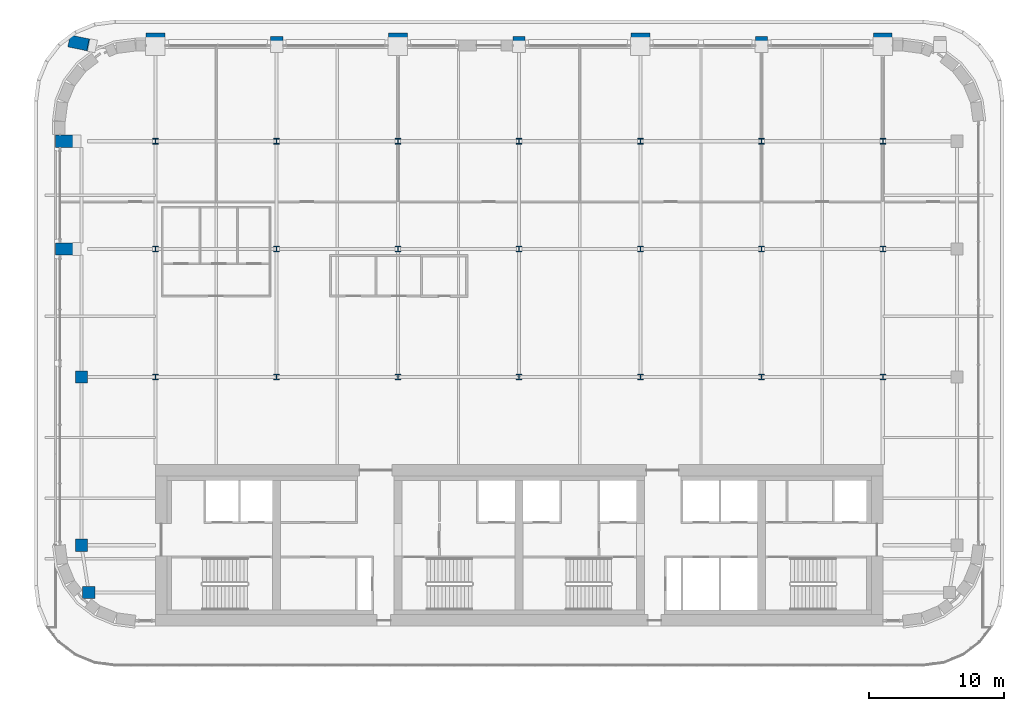
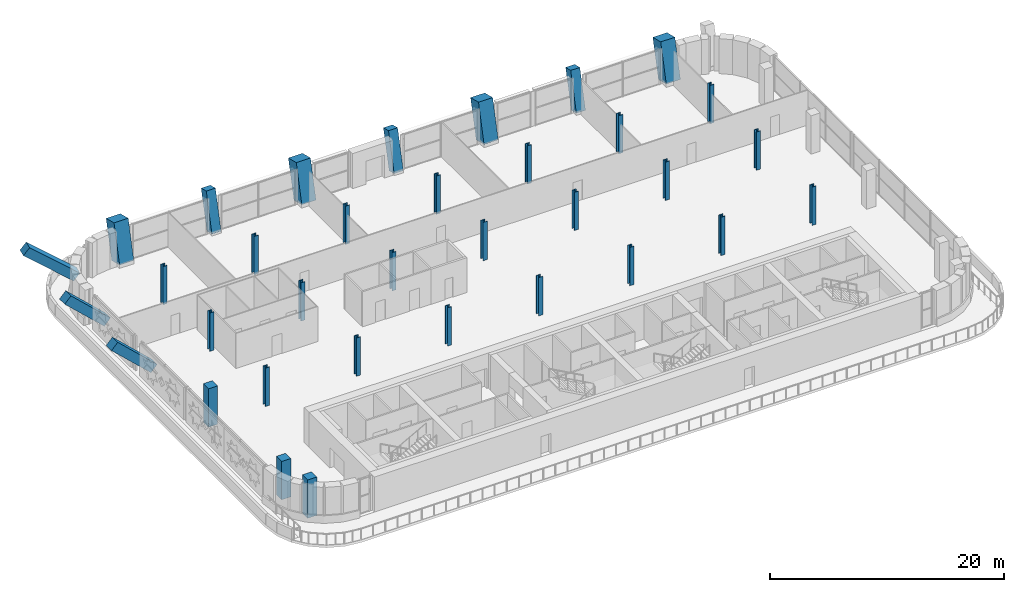
# One storey, part 1 of 23: 34 columns.
"""IFC4 building model written with IfcOpenShell, lengths in metres."""

from ifc_helpers import new_model, si_unit, direction, frame, origin, origin_2d, place, context, subcontext, project, spatial, rectangle, i_section, extrude, clip, halfspace, material, material_profile, profile_set, type_object, element, save


model = new_model("IFC4")

# Units and contexts
model_context = context("Model", 3, precision=1e-05, world=origin(), true_north=direction((0.0, 1.0)))
body_context = subcontext(model_context, "Body", "Model", "MODEL_VIEW")
ifc_project = project(units=[si_unit("LENGTHUNIT", "METRE"), si_unit("AREAUNIT", "SQUARE_METRE"), si_unit("VOLUMEUNIT", "CUBIC_METRE"), si_unit("PLANEANGLEUNIT", "RADIAN"), si_unit("MASSUNIT", "GRAM", prefix="KILO")], contexts=[model_context])

# Site, building, storey
site_placement = place(None, origin())
site = spatial("IfcSite", under=ifc_project, at=site_placement, CompositionType="ELEMENT")
building_placement = place(site_placement, origin())
building = spatial("IfcBuilding", under=site, at=building_placement, Name="Zellij Exchange Tower", CompositionType="ELEMENT")
storey_placement = place(building_placement, frame((0.0, 0.0, 212.5)))
storey = spatial("IfcBuildingStorey", under=building, at=storey_placement, Name="L49", CompositionType="ELEMENT", Elevation=212.5)

# Columns
ifc_material_1 = material(Name="Concrete C60/75", Category="concrete")
ifc_material_profile_1 = material_profile(ifc_material_1, rectangle(XDim=0.89990234375, YDim=0.89990234375, at=origin_2d()), Name="STR-COLUMN RC900x900 C60/75")
ifc_profile_set_1 = profile_set([ifc_material_profile_1], Name="Concrete C60/75")
column_type_1 = type_object("IfcColumnType", Name="STR-COLUMN RC900x900 C60/75", PredefinedType="COLUMN", material=ifc_profile_set_1)
for number, where, z_axis, x_axis, name in (
    (1, (-31.949951171875, -11.5, 0.0), (0.0, 0.0, 1.0), (1.0, 0.0, 0.0), "C16"),
    (2, (-32.5, -8.0, 0.0), (0.0, 0.0, 1.0), (1.0, 0.0, 0.0), "C16"),
    (3, (-32.5, 4.5, 0.0), (0.0, 0.0, 1.0), (1.0, 0.0, 0.0), "C16"),
):
    element("IfcColumn", number, at=place(storey_placement, frame(where, z_axis=z_axis, x_axis=x_axis)), inside=storey, type_object=column_type_1, Name=name, PredefinedType="COLUMN", context=body_context, shape_type="SweptSolid", body=[
        extrude(rectangle(XDim=0.89990234375, YDim=0.89990234375, at=origin_2d()), origin(), (0.0, 0.0, 1.0), 4.0),
    ])
for number, where, z_axis, x_axis, name in (
    (4, (-18.0, 29.0, 0.0), (0.0, 0.242535625036, 0.970142500145), (-1.0, 0.0, 0.0), "C16"),
    (5, (0.0, 29.0, 0.0), (0.0, 0.242535625036, 0.970142500145), (-1.0, 0.0, 0.0), "C16"),
    (6, (18.0, 29.0, 0.0), (0.0, 0.242535625036, 0.970142500145), (-1.0, 0.0, 0.0), "C16"),
):
    element("IfcColumn", number, at=place(storey_placement, frame(where, z_axis=z_axis, x_axis=x_axis)), inside=storey, type_object=column_type_1, Name=name, PredefinedType="COLUMN", context=body_context, shape_type="Clipping", body=[
        clip(extrude(rectangle(XDim=0.89990234375, YDim=0.89990234375, at=origin_2d()), origin(), (0.0, 0.0, 1.0), 4.123046875), halfspace(frame((0.0, 0.0, 0.112548828125)), True)),
    ])
ifc_material_2 = material(Name="Structural steel ASTM A913 Gr 65", Category="steel")
ifc_material_profile_2 = material_profile(ifc_material_2, i_section(OverallWidth=0.408935546875, OverallDepth=0.424072265625, WebThickness=0.03271484375, FlangeThickness=0.052490234375, at=origin_2d()), Name="W14x283")
ifc_profile_set_2 = profile_set([ifc_material_profile_2], Name="Structural steel ASTM A913 Gr 65")
column_type_2 = type_object("IfcColumnType", Name="STR-COLUMN W14x283", PredefinedType="COLUMN", material=ifc_profile_set_2)
for number, where, z_axis, x_axis, name in (
    (7, (-27.0, 4.5, 0.0), (0.0, 0.0, 1.0), (1.0, 0.0, 0.0), "C3"),
    (8, (-18.0, 4.5, 0.0), (0.0, 0.0, 1.0), (1.0, 0.0, 0.0), "C3"),
    (9, (-9.0, 4.5, 0.0), (0.0, 0.0, 1.0), (1.0, 0.0, 0.0), "C3"),
    (10, (0.0, 4.5, 0.0), (0.0, 0.0, 1.0), (1.0, 0.0, 0.0), "C3"),
    (11, (9.0, 4.5, 0.0), (0.0, 0.0, 1.0), (1.0, 0.0, 0.0), "C3"),
    (12, (18.0, 4.5, 0.0), (0.0, 0.0, 1.0), (1.0, 0.0, 0.0), "C3"),
    (13, (27.0, 4.5, 0.0), (0.0, 0.0, 1.0), (1.0, 0.0, 0.0), "C3"),
    (14, (-27.0, 14.0, 0.0), (0.0, 0.0, 1.0), (1.0, 0.0, 0.0), "C3"),
    (15, (-18.0, 14.0, 0.0), (0.0, 0.0, 1.0), (1.0, 0.0, 0.0), "C3"),
    (16, (-9.0, 14.0, 0.0), (0.0, 0.0, 1.0), (1.0, 0.0, 0.0), "C3"),
    (17, (0.0, 14.0, 0.0), (0.0, 0.0, 1.0), (1.0, 0.0, 0.0), "C3"),
    (18, (9.0, 14.0, 0.0), (0.0, 0.0, 1.0), (1.0, 0.0, 0.0), "C3"),
    (19, (18.0, 14.0, 0.0), (0.0, 0.0, 1.0), (1.0, 0.0, 0.0), "C3"),
    (20, (27.0, 14.0, 0.0), (0.0, 0.0, 1.0), (1.0, 0.0, 0.0), "C3"),
    (21, (-27.0, 22.0, 0.0), (0.0, 0.0, 1.0), (1.0, 0.0, 0.0), "C3"),
    (22, (-18.0, 22.0, 0.0), (0.0, 0.0, 1.0), (1.0, 0.0, 0.0), "C3"),
    (23, (-9.0, 22.0, 0.0), (0.0, 0.0, 1.0), (1.0, 0.0, 0.0), "C3"),
    (24, (0.0, 22.0, 0.0), (0.0, 0.0, 1.0), (1.0, 0.0, 0.0), "C3"),
    (25, (9.0, 22.0, 0.0), (0.0, 0.0, 1.0), (1.0, 0.0, 0.0), "C3"),
    (26, (18.0, 22.0, 0.0), (0.0, 0.0, 1.0), (1.0, 0.0, 0.0), "C3"),
    (27, (27.0, 22.0, 0.0), (0.0, 0.0, 1.0), (1.0, 0.0, 0.0), "C3"),
):
    element("IfcColumn", number, at=place(storey_placement, frame(where, z_axis=z_axis, x_axis=x_axis)), inside=storey, type_object=column_type_2, Name=name, PredefinedType="COLUMN", context=body_context, shape_type="SweptSolid", body=[
        extrude(i_section(OverallWidth=0.408935546875, OverallDepth=0.424072265625, WebThickness=0.03271484375, FlangeThickness=0.052490234375, at=origin_2d()), origin(), (0.0, 0.0, 1.0), 4.0),
    ])
ifc_material_profile_3 = material_profile(ifc_material_1, rectangle(XDim=0.89990234375, YDim=0.89990234375, at=origin_2d()), Name="STR-END BLOCK STRUT RC900x900 C60/75")
ifc_profile_set_3 = profile_set([ifc_material_profile_3], Name="Concrete C60/75")
column_type_3 = type_object("IfcColumnType", Name="STR-END BLOCK STRUT RC900x900 C60/75", PredefinedType="COLUMN", material=ifc_profile_set_3)
for number, where, z_axis, x_axis, name in (
    (28, (-32.5, 14.0, 0.0), (-0.728199992693, 0.0, 0.685364699005), (0.0, -1.0, 0.0), "ES2"),
    (29, (-32.5, 22.0, 0.0), (-0.728199992693, 0.0, 0.685364699005), (0.0, -1.0, 0.0), "ES2"),
):
    element("IfcColumn", number, at=place(storey_placement, frame(where, z_axis=z_axis, x_axis=x_axis)), inside=storey, type_object=column_type_3, Name=name, PredefinedType="COLUMN", context=body_context, shape_type="Clipping", body=[
        clip(extrude(rectangle(XDim=0.89990234375, YDim=0.89990234375, at=origin_2d()), origin(), (0.0, 0.0, 1.0), 5.83642578125), halfspace(frame((0.0, 0.0, 0.47802734375)), True)),
    ])
column_placement = place(storey_placement, frame((-31.25, 29.0, 0.0), z_axis=(-0.76353256999, 0.156622065639, 0.626488262556), x_axis=(-0.200944143721, -0.979602700641, 0.0)))
element("IfcColumn", 30, at=column_placement, inside=storey, type_object=column_type_3, Name="ES2", PredefinedType="COLUMN", context=body_context, shape_type="Clipping", body=[
    clip(extrude(rectangle(XDim=0.89990234375, YDim=0.89990234375, at=origin_2d()), origin(), (0.0, 0.0, 1.0), 6.384765625), halfspace(frame((0.0, 0.0, 0.559814453125)), True)),
])
ifc_material_profile_4 = material_profile(ifc_material_1, rectangle(XDim=1.39990234375, YDim=1.39990234375, at=origin_2d()), Name="STR-MEGA COLUMN RC1400x1400 C60/75")
ifc_profile_set_4 = profile_set([ifc_material_profile_4], Name="Concrete C60/75")
column_type_4 = type_object("IfcColumnType", Name="STR-MEGA COLUMN RC1400x1400 C60/75", PredefinedType="COLUMN", material=ifc_profile_set_4)
for number, where, z_axis, x_axis, name in (
    (31, (-27.0, 29.0, 0.0), (0.0, 0.242535625036, 0.970142500145), (-1.0, 0.0, 0.0), "MC3"),
    (32, (-9.0, 29.0, 0.0), (0.0, 0.242535625036, 0.970142500145), (-1.0, 0.0, 0.0), "MC3"),
    (33, (9.0, 29.0, 0.0), (0.0, 0.242535625036, 0.970142500145), (-1.0, 0.0, 0.0), "MC3"),
    (34, (27.0, 29.0, 0.0), (0.0, 0.242535625036, 0.970142500145), (-1.0, 0.0, 0.0), "MC3"),
):
    element("IfcColumn", number, at=place(storey_placement, frame(where, z_axis=z_axis, x_axis=x_axis)), inside=storey, type_object=column_type_4, Name=name, PredefinedType="COLUMN", context=body_context, shape_type="Clipping", body=[
        clip(extrude(rectangle(XDim=1.39990234375, YDim=1.39990234375, at=origin_2d()), origin(), (0.0, 0.0, 1.0), 4.123046875), halfspace(frame((0.0, 0.0, 0.175048828125)), True)),
    ])

save(model, "model.ifc")
